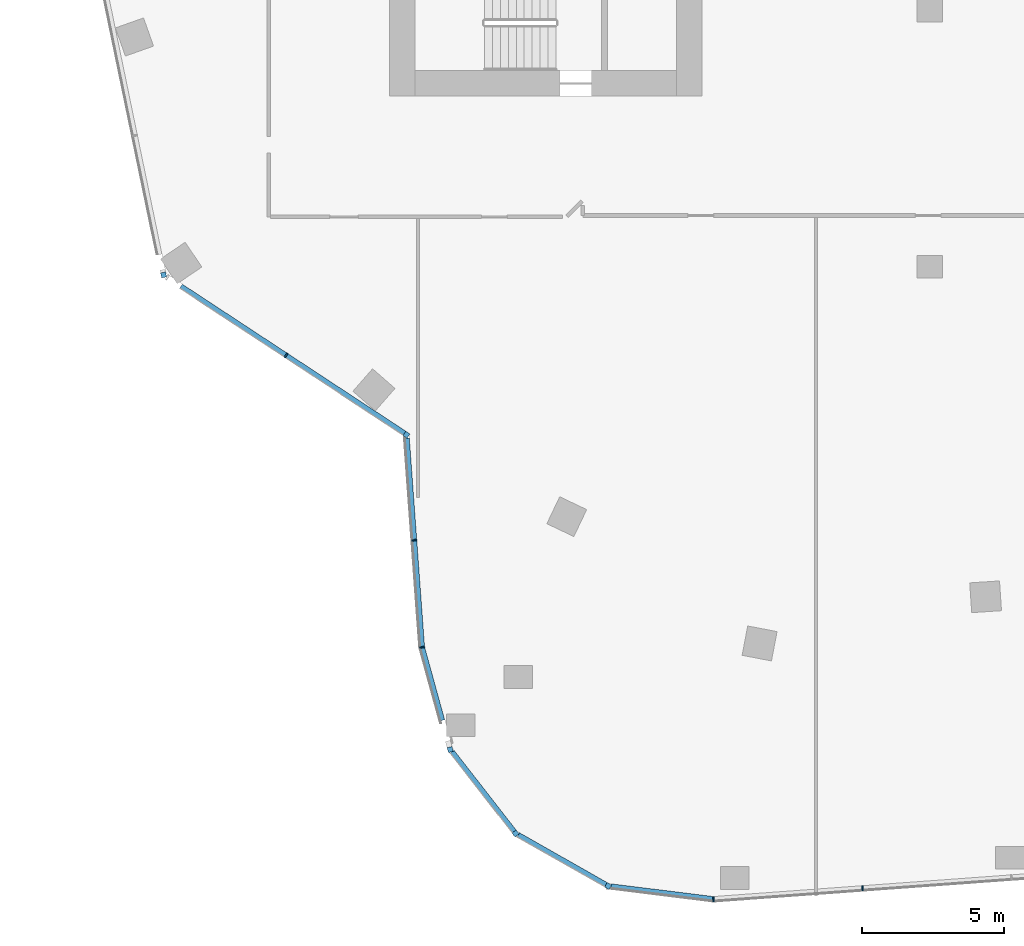
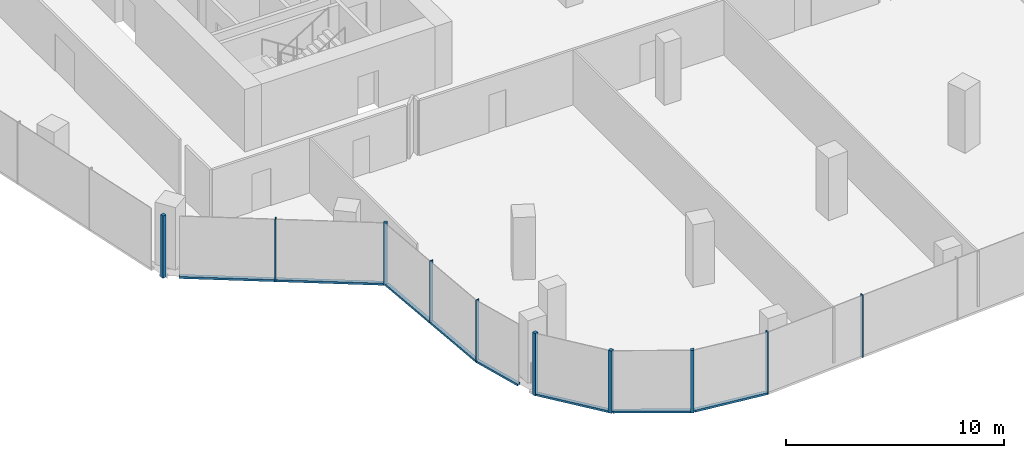
# One storey, part 2 of 24: 16 members, 8 elements without a shape of their own.
"""IFC4 building model written with IfcOpenShell, lengths in metres."""

from ifc_helpers import new_model, si_unit, direction, frame, origin, origin_2d, place, context, subcontext, project, spatial, rectangle, extrude, material, material_profile, profile_set, type_object, element, aggregate, save


model = new_model("IFC4")

# Units and contexts
model_context = context("Model", 3, precision=1e-05, world=origin(), true_north=direction((0.0, 1.0)))
body_context = subcontext(model_context, "Body", "Model", "MODEL_VIEW")
ifc_project = project(units=[si_unit("LENGTHUNIT", "METRE"), si_unit("AREAUNIT", "SQUARE_METRE"), si_unit("VOLUMEUNIT", "CUBIC_METRE"), si_unit("PLANEANGLEUNIT", "RADIAN"), si_unit("MASSUNIT", "GRAM", prefix="KILO")], contexts=[model_context])

# Site, building, storey
site_placement = place(None, origin())
site = spatial("IfcSite", under=ifc_project, at=site_placement, CompositionType="ELEMENT")
building_placement = place(site_placement, origin())
building = spatial("IfcBuilding", under=site, at=building_placement, Name="Orlundy Tower", CompositionType="ELEMENT")
storey_placement = place(building_placement, frame((0.0, 0.0, 239.0)))
storey = spatial("IfcBuildingStorey", under=building, at=storey_placement, Name="L63", CompositionType="ELEMENT", Elevation=239.0)

# Curtain wall, member
ifc_material_1 = material(Name="Aluminium bronze anodised", Category="aluminium")
curtain_wall_type = type_object("IfcCurtainWallType", Name="CW1 wall", PredefinedType="NOTDEFINED", material=ifc_material_1)
curtain_wall_1_placement = place(storey_placement, origin())
curtain_wall_1 = element("IfcCurtainWall", 1, at=curtain_wall_1_placement, inside=storey, type_object=curtain_wall_type, Name="CW1 run 09", PredefinedType="NOTDEFINED")
ifc_material_2 = material(Name="Aluminium bronze anodised", Category="aluminium")
ifc_material_profile_1 = material_profile(ifc_material_2, rectangle(XDim=0.179931640625, YDim=0.179931640625, at=origin_2d()), Name="CW1 corner post 180x180")
ifc_profile_set_1 = profile_set([ifc_material_profile_1], Name="Aluminium bronze anodised")
member_type_1 = type_object("IfcMemberType", Name="CW1 corner post 180x180", PredefinedType="MULLION", material=ifc_profile_set_1)
member_1_placement = place(storey_placement, frame((-11.309814453125, -39.7880859375, -0.39990234375), z_axis=(0.0, 0.0, 1.0), x_axis=(-0.493754430095, -0.869601381531, 0.0)))
member_1 = element("IfcMember", 2, at=member_1_placement, type_object=member_type_1, Name="CW1 mullion 15", PredefinedType="MULLION", context=body_context, shape_type="SweptSolid", body=[
    extrude(rectangle(XDim=0.179931640625, YDim=0.179931640625, at=origin_2d()), origin(), (0.0, 0.0, 1.0), 3.5),
])

curtain_wall_2_placement = place(storey_placement, origin())
curtain_wall_2 = element("IfcCurtainWall", 3, at=curtain_wall_2_placement, inside=storey, type_object=curtain_wall_type, Name="CW1 run 010", PredefinedType="NOTDEFINED")
member_2_placement = place(storey_placement, frame((-14.56396484375, -37.9404296875, -0.39990234375), z_axis=(0.0, 0.0, 1.0), x_axis=(-0.788858043661, -0.614575452611, 0.0)))
member_2 = element("IfcMember", 4, at=member_2_placement, type_object=member_type_1, Name="CW1 mullion 16", PredefinedType="MULLION", context=body_context, shape_type="SweptSolid", body=[
    extrude(rectangle(XDim=0.179931640625, YDim=0.179931640625, at=origin_2d()), origin(), (0.0, 0.0, 1.0), 3.5),
])

curtain_wall_3_placement = place(storey_placement, origin())
curtain_wall_3 = element("IfcCurtainWall", 5, at=curtain_wall_3_placement, inside=storey, type_object=curtain_wall_type, Name="CW1 run 011", PredefinedType="NOTDEFINED")
member_3_placement = place(storey_placement, frame((-16.864013671875, -34.98828125, -0.39990234375), z_axis=(0.0, 0.0, 1.0), x_axis=(-0.964037920682, -0.265764722051, 0.0)))
member_3 = element("IfcMember", 6, at=member_3_placement, type_object=member_type_1, Name="CW1 mullion 17", PredefinedType="MULLION", context=body_context, shape_type="SweptSolid", body=[
    extrude(rectangle(XDim=0.179931640625, YDim=0.179931640625, at=origin_2d()), origin(), (0.0, 0.0, 1.0), 3.5),
])

curtain_wall_4_placement = place(storey_placement, origin())
curtain_wall_4 = element("IfcCurtainWall", 7, at=curtain_wall_4_placement, inside=storey, type_object=curtain_wall_type, Name="CW1 run 013", PredefinedType="NOTDEFINED")
member_4_placement = place(storey_placement, frame((-18.401611328125, -23.911865234375, -0.39990234375), z_axis=(0.0, 0.0, 1.0), x_axis=(-0.54952678446, -0.835476099694, 0.0)))
member_4 = element("IfcMember", 8, at=member_4_placement, type_object=member_type_1, Name="CW1 mullion 20", PredefinedType="MULLION", context=body_context, shape_type="SweptSolid", body=[
    extrude(rectangle(XDim=0.179931640625, YDim=0.179931640625, at=origin_2d()), origin(), (0.0, 0.0, 1.0), 3.5),
])

curtain_wall_5_placement = place(storey_placement, origin())
curtain_wall_5 = element("IfcCurtainWall", 9, at=curtain_wall_5_placement, inside=storey, type_object=curtain_wall_type, Name="CW1 run 014", PredefinedType="NOTDEFINED")
member_5_placement = place(storey_placement, frame((-26.947509765625, -18.290771484375, -0.39990234375), z_axis=(0.0, 0.0, 1.0), x_axis=(-0.979337428215, -0.202233038095, 0.0)))
member_5 = element("IfcMember", 10, at=member_5_placement, type_object=member_type_1, Name="CW1 mullion 22", PredefinedType="MULLION", context=body_context, shape_type="SweptSolid", body=[
    extrude(rectangle(XDim=0.179931640625, YDim=0.179931640625, at=origin_2d()), origin(), (0.0, 0.0, 1.0), 3.5),
])
aggregate(curtain_wall_5, [member_5])

curtain_wall_6_placement = place(storey_placement, origin())
curtain_wall_6 = element("IfcCurtainWall", 11, at=curtain_wall_6_placement, inside=storey, type_object=curtain_wall_type, Name="CW1 run 07", PredefinedType="NOTDEFINED")
ifc_material_3 = material(Name="Aluminium bronze anodised", Category="aluminium")
ifc_material_profile_2 = material_profile(ifc_material_3, rectangle(XDim=0.179931640625, YDim=0.050048828125, at=origin_2d()), Name="CW1 mullion 50x180")
ifc_profile_set_2 = profile_set([ifc_material_profile_2], Name="Aluminium bronze anodised")
member_type_2 = type_object("IfcMemberType", Name="CW1 mullion 50x180", PredefinedType="MULLION", material=ifc_profile_set_2)
member_6_placement = place(storey_placement, frame((-2.359375, -39.8671875, -0.39990234375), z_axis=(0.0, 0.0, 1.0), x_axis=(0.072668329988, -0.997356161969, 0.0)))
member_6 = element("IfcMember", 12, at=member_6_placement, type_object=member_type_2, Name="CW1 mullion 13", PredefinedType="MULLION", context=body_context, shape_type="SweptSolid", body=[
    extrude(rectangle(XDim=0.179931640625, YDim=0.050048828125, at=origin_2d()), origin(), (0.0, 0.0, 1.0), 3.5),
])
aggregate(curtain_wall_6, [member_6])

curtain_wall_7_placement = place(storey_placement, origin())
curtain_wall_7 = element("IfcCurtainWall", 13, at=curtain_wall_7_placement, inside=storey, type_object=curtain_wall_type, Name="CW1 run 08", PredefinedType="NOTDEFINED")
member_7_placement = place(storey_placement, frame((-7.604248046875, -40.24951171875, -0.39990234375), z_axis=(0.0, 0.0, 1.0), x_axis=(-0.025557574662, -0.999673351839, 0.0)))
member_7 = element("IfcMember", 14, at=member_7_placement, type_object=member_type_2, Name="CW1 mullion 14", PredefinedType="MULLION", context=body_context, shape_type="SweptSolid", body=[
    extrude(rectangle(XDim=0.179931640625, YDim=0.050048828125, at=origin_2d()), origin(), (0.0, 0.0, 1.0), 3.5),
])

# Curtain wall, members
curtain_wall_8_placement = place(storey_placement, origin())
curtain_wall_8 = element("IfcCurtainWall", 15, at=curtain_wall_8_placement, inside=storey, type_object=curtain_wall_type, Name="CW1 run 012", PredefinedType="NOTDEFINED")
member_8_placement = place(storey_placement, frame((-17.856201171875, -31.389404296875, -0.39990234375), z_axis=(0.0, 0.0, 1.0), x_axis=(-0.985431391159, -0.170073435074, 0.0)))
member_8 = element("IfcMember", 16, at=member_8_placement, type_object=member_type_2, Name="CW1 mullion 18", PredefinedType="MULLION", context=body_context, shape_type="SweptSolid", body=[
    extrude(rectangle(XDim=0.179931640625, YDim=0.050048828125, at=origin_2d()), origin(), (0.0, 0.0, 1.0), 3.5),
])
member_9_placement = place(storey_placement, frame((-18.130859375, -27.6240234375, -0.39990234375), z_axis=(0.0, 0.0, 1.0), x_axis=(-0.997350428587, -0.072746976548, 0.0)))
member_9 = element("IfcMember", 17, at=member_9_placement, type_object=member_type_2, Name="CW1 mullion 19", PredefinedType="MULLION", context=body_context, shape_type="SweptSolid", body=[
    extrude(rectangle(XDim=0.179931640625, YDim=0.050048828125, at=origin_2d()), origin(), (0.0, 0.0, 1.0), 3.5),
])

# Member
member_10_placement = place(storey_placement, frame((-22.640380859375, -21.123779296875, -0.39990234375), z_axis=(0.0, 0.0, 1.0), x_axis=(-0.54952678446, -0.835476099694, 0.0)))
member_10 = element("IfcMember", 18, at=member_10_placement, type_object=member_type_2, Name="CW1 mullion 21", PredefinedType="MULLION", context=body_context, shape_type="SweptSolid", body=[
    extrude(rectangle(XDim=0.179931640625, YDim=0.050048828125, at=origin_2d()), origin(), (0.0, 0.0, 1.0), 3.5),
])

ifc_material_4 = material(Name="Aluminium bronze anodised", Category="aluminium")
ifc_material_profile_3 = material_profile(ifc_material_4, rectangle(XDim=0.179931640625, YDim=0.1201171875, at=origin_2d()), Name="CW1 transom 180x120")
ifc_profile_set_3 = profile_set([ifc_material_profile_3], Name="Aluminium bronze anodised")
member_type_3 = type_object("IfcMemberType", Name="CW1 transom 180x120", PredefinedType="USERDEFINED", material=ifc_profile_set_3)
member_11_placement = place(storey_placement, frame((-7.629150390625, -40.246337890625, -0.340087890625), z_axis=(-0.992336005458, 0.123568815938, 0.0), x_axis=(-0.123568815938, -0.992336005458, 0.0)))
member_11 = element("IfcMember", 19, at=member_11_placement, type_object=member_type_3, Name="CW1 transom", ObjectType="TRANSOM", PredefinedType="USERDEFINED", context=body_context, shape_type="SweptSolid", body=[
    extrude(rectangle(XDim=0.179931640625, YDim=0.1201171875, at=origin_2d()), origin(), (0.0, 0.0, 1.0), 3.611572265625),
])

aggregate(curtain_wall_7, [member_7, member_11])

member_12_placement = place(storey_placement, frame((-11.38818359375, -39.74365234375, -0.340087890625), z_axis=(-0.869596650944, 0.493762761523, 0.0), x_axis=(-0.493762761523, -0.869596650944, 0.0)))
member_12 = element("IfcMember", 20, at=member_12_placement, type_object=member_type_3, Name="CW1 transom", ObjectType="TRANSOM", PredefinedType="USERDEFINED", context=body_context, shape_type="SweptSolid", body=[
    extrude(rectangle(XDim=0.179931640625, YDim=0.1201171875, at=origin_2d()), origin(), (0.0, 0.0, 1.0), 3.5546875),
])

aggregate(curtain_wall_1, [member_1, member_12])

member_13_placement = place(storey_placement, frame((-14.619384765625, -37.869384765625, -0.340087890625), z_axis=(-0.614567998648, 0.788863850762, 0.0), x_axis=(-0.788863850762, -0.614567998648, 0.0)))
member_13 = element("IfcMember", 21, at=member_13_placement, type_object=member_type_3, Name="CW1 transom", ObjectType="TRANSOM", PredefinedType="USERDEFINED", context=body_context, shape_type="SweptSolid", body=[
    extrude(rectangle(XDim=0.179931640625, YDim=0.1201171875, at=origin_2d()), origin(), (0.0, 0.0, 1.0), 3.554931640625),
])

aggregate(curtain_wall_2, [member_2, member_13])

member_14_placement = place(storey_placement, frame((-17.14697265625, -33.961669921875, -0.340087890625), z_axis=(-0.265742522211, 0.96404404043, 0.0), x_axis=(-0.96404404043, -0.265742522211, 0.0)))
member_14 = element("IfcMember", 22, at=member_14_placement, type_object=member_type_3, Name="CW1 transom", ObjectType="TRANSOM", PredefinedType="USERDEFINED", context=body_context, shape_type="SweptSolid", body=[
    extrude(rectangle(XDim=0.179931640625, YDim=0.1201171875, at=origin_2d()), origin(), (0.0, 0.0, 1.0), 2.64306640625),
])

aggregate(curtain_wall_3, [member_3, member_14])

member_15_placement = place(storey_placement, frame((-17.85791015625, -31.3642578125, -0.340087890625), z_axis=(-0.072755906506, 0.997349777194, 0.0), x_axis=(-0.997349777194, -0.072755906506, 0.0)))
member_15 = element("IfcMember", 23, at=member_15_placement, type_object=member_type_3, Name="CW1 transom", ObjectType="TRANSOM", PredefinedType="USERDEFINED", context=body_context, shape_type="SweptSolid", body=[
    extrude(rectangle(XDim=0.179931640625, YDim=0.1201171875, at=origin_2d()), origin(), (0.0, 0.0, 1.0), 7.35888671875),
])

aggregate(curtain_wall_8, [member_8, member_9, member_15])

member_16_placement = place(storey_placement, frame((-18.476806640625, -23.8623046875, -0.340087890625), z_axis=(-0.835475394817, 0.549527856123, 0.0), x_axis=(-0.549527856123, -0.835475394817, 0.0)))
member_16 = element("IfcMember", 24, at=member_16_placement, type_object=member_type_3, Name="CW1 transom", ObjectType="TRANSOM", PredefinedType="USERDEFINED", context=body_context, shape_type="SweptSolid", body=[
    extrude(rectangle(XDim=0.179931640625, YDim=0.1201171875, at=origin_2d()), origin(), (0.0, 0.0, 1.0), 9.408935546875),
])

aggregate(curtain_wall_4, [member_4, member_10, member_16])

save(model, "model.ifc")
